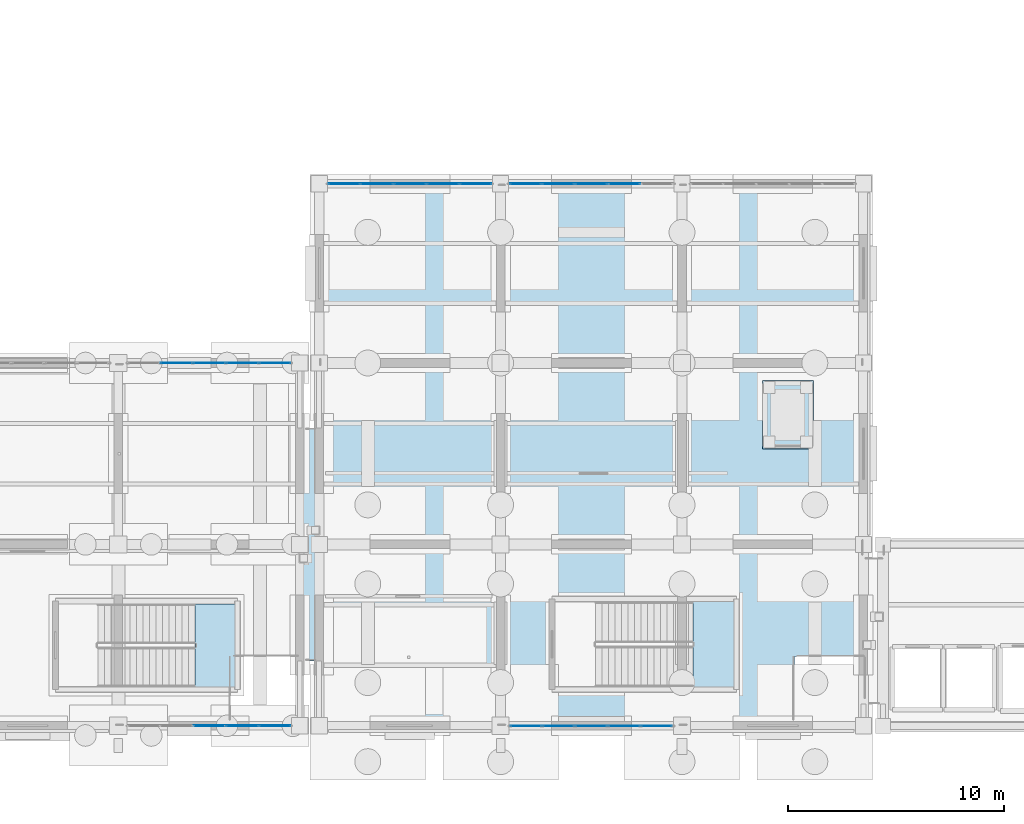
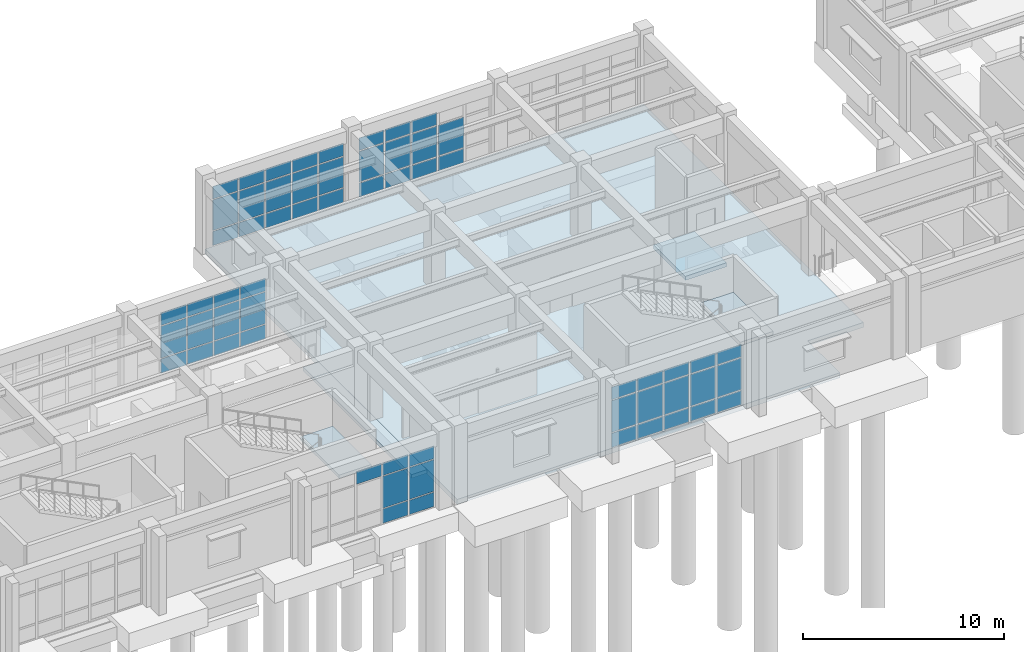
# One storey, part 76 of 111: 60 plates, 5 slabs, 7 elements without a shape of their own.
"""IFC4 building model written with IfcOpenShell, lengths in metres."""

from ifc_helpers import new_model, si_unit, direction, frame, origin, origin_2d, place, context, subcontext, project, spatial, polyline, rectangle, outline, extrude, material, layer, layer_set, type_object, element, aggregate, save


model = new_model("IFC4")

# Units and contexts
model_context = context("Model", 3, precision=1e-05, world=origin(), true_north=direction((0.0, 1.0)))
body_context = subcontext(model_context, "Body", "Model", "MODEL_VIEW")
ifc_project = project(units=[si_unit("LENGTHUNIT", "METRE"), si_unit("AREAUNIT", "SQUARE_METRE"), si_unit("VOLUMEUNIT", "CUBIC_METRE"), si_unit("PLANEANGLEUNIT", "RADIAN"), si_unit("MASSUNIT", "GRAM", prefix="KILO")], contexts=[model_context])

# Site, building, storey
site_placement = place(None, origin())
site = spatial("IfcSite", under=ifc_project, at=site_placement, CompositionType="ELEMENT")
building_placement = place(site_placement, origin())
building = spatial("IfcBuilding", under=site, at=building_placement, Name="Canglan Escarpment Cableway Terminal", CompositionType="ELEMENT")
storey_placement = place(building_placement, frame((0.0, 0.0, 4.800048828125)))
storey = spatial("IfcBuildingStorey", under=building, at=storey_placement, Name="L01", CompositionType="ELEMENT", Elevation=4.800048828125)

# Curtain wall, plates
ifc_material_1 = material(Name="Anodized bronze aluminium and Low-E double glazing", Category="aluminium")
curtain_wall_type_1 = type_object("IfcCurtainWallType", Name="CW-BAY-7650x3725", PredefinedType="NOTDEFINED", material=ifc_material_1)
curtain_wall_1_placement = place(storey_placement, origin())
curtain_wall_1 = element("IfcCurtainWall", 1, at=curtain_wall_1_placement, inside=storey, type_object=curtain_wall_type_1, Name="Classical bay-between-piers glazed curtain wall CW-01", PredefinedType="NOTDEFINED")
ifc_material_2 = material(Name="Double-silver Low-E laminated insulating glass", Category="glass")
ifc_layer_1 = layer(ifc_material_2, 0.02392578125, Name="Double-silver Low-E laminated insulating glass")
ifc_layer_set_1 = layer_set([ifc_layer_1], Name="Double-silver Low-E laminated insulating glass")
plate_type_1 = type_object("IfcPlateType", Name="CWP-01", PredefinedType="CURTAIN_PANEL", material=ifc_layer_set_1)
plate_1_placement = place(storey_placement, frame((118.74365234375, 33.10009765625, 0.06005859375), z_axis=(0.0, 0.0, 1.0), x_axis=(-1.0, 0.0, 0.0)))
plate_1 = element("IfcPlate", 2, at=plate_1_placement, type_object=plate_type_1, Name="CW-01 panel 1.1", PredefinedType="CURTAIN_PANEL", context=body_context, shape_type="SweptSolid", body=[
    extrude(rectangle(XDim=1.4326171875, YDim=0.02392578125, at=origin_2d()), origin(), (0.0, 0.0, 1.0), 0.860107421875),
])
plate_2_placement = place(storey_placement, frame((118.74365234375, 33.10009765625, 0.97998046875), z_axis=(0.0, 0.0, 1.0), x_axis=(-1.0, 0.0, 0.0)))
plate_2 = element("IfcPlate", 3, at=plate_2_placement, type_object=plate_type_1, Name="CW-01 panel 1.2", PredefinedType="CURTAIN_PANEL", context=body_context, shape_type="SweptSolid", body=[
    extrude(rectangle(XDim=1.4326171875, YDim=0.02392578125, at=origin_2d()), origin(), (0.0, 0.0, 1.0), 1.85498046875),
])
plate_3_placement = place(storey_placement, frame((118.74365234375, 33.10009765625, 2.89501953125), z_axis=(0.0, 0.0, 1.0), x_axis=(-1.0, 0.0, 0.0)))
plate_3 = element("IfcPlate", 4, at=plate_3_placement, type_object=plate_type_1, Name="CW-01 panel 1.3", PredefinedType="CURTAIN_PANEL", context=body_context, shape_type="SweptSolid", body=[
    extrude(rectangle(XDim=1.4326171875, YDim=0.02392578125, at=origin_2d()), origin(), (0.0, 0.0, 1.0), 0.760009765625),
])
plate_4_placement = place(storey_placement, frame((117.22998046875, 33.10009765625, 0.06005859375), z_axis=(0.0, 0.0, 1.0), x_axis=(-1.0, 0.0, 0.0)))
plate_4 = element("IfcPlate", 5, at=plate_4_placement, type_object=plate_type_1, Name="CW-01 panel 2.1", PredefinedType="CURTAIN_PANEL", context=body_context, shape_type="SweptSolid", body=[
    extrude(rectangle(XDim=1.465087890625, YDim=0.02392578125, at=origin_2d()), origin(), (0.0, 0.0, 1.0), 0.860107421875),
])
plate_5_placement = place(storey_placement, frame((117.22998046875, 33.10009765625, 0.97998046875), z_axis=(0.0, 0.0, 1.0), x_axis=(-1.0, 0.0, 0.0)))
plate_5 = element("IfcPlate", 6, at=plate_5_placement, type_object=plate_type_1, Name="CW-01 panel 2.2", PredefinedType="CURTAIN_PANEL", context=body_context, shape_type="SweptSolid", body=[
    extrude(rectangle(XDim=1.465087890625, YDim=0.02392578125, at=origin_2d()), origin(), (0.0, 0.0, 1.0), 1.85498046875),
])
plate_6_placement = place(storey_placement, frame((117.22998046875, 33.10009765625, 2.89501953125), z_axis=(0.0, 0.0, 1.0), x_axis=(-1.0, 0.0, 0.0)))
plate_6 = element("IfcPlate", 7, at=plate_6_placement, type_object=plate_type_1, Name="CW-01 panel 2.3", PredefinedType="CURTAIN_PANEL", context=body_context, shape_type="SweptSolid", body=[
    extrude(rectangle(XDim=1.465087890625, YDim=0.02392578125, at=origin_2d()), origin(), (0.0, 0.0, 1.0), 0.760009765625),
])
plate_7_placement = place(storey_placement, frame((115.699951171875, 33.10009765625, 0.06005859375), z_axis=(0.0, 0.0, 1.0), x_axis=(-1.0, 0.0, 0.0)))
plate_7 = element("IfcPlate", 8, at=plate_7_placement, type_object=plate_type_1, Name="CW-01 panel 3.1", PredefinedType="CURTAIN_PANEL", context=body_context, shape_type="SweptSolid", body=[
    extrude(rectangle(XDim=1.465087890625, YDim=0.02392578125, at=origin_2d()), origin(), (0.0, 0.0, 1.0), 0.860107421875),
])
plate_8_placement = place(storey_placement, frame((115.699951171875, 33.10009765625, 0.97998046875), z_axis=(0.0, 0.0, 1.0), x_axis=(-1.0, 0.0, 0.0)))
plate_8 = element("IfcPlate", 9, at=plate_8_placement, type_object=plate_type_1, Name="CW-01 panel 3.2", PredefinedType="CURTAIN_PANEL", context=body_context, shape_type="SweptSolid", body=[
    extrude(rectangle(XDim=1.465087890625, YDim=0.02392578125, at=origin_2d()), origin(), (0.0, 0.0, 1.0), 1.85498046875),
])
plate_9_placement = place(storey_placement, frame((115.699951171875, 33.10009765625, 2.89501953125), z_axis=(0.0, 0.0, 1.0), x_axis=(-1.0, 0.0, 0.0)))
plate_9 = element("IfcPlate", 10, at=plate_9_placement, type_object=plate_type_1, Name="CW-01 panel 3.3", PredefinedType="CURTAIN_PANEL", context=body_context, shape_type="SweptSolid", body=[
    extrude(rectangle(XDim=1.465087890625, YDim=0.02392578125, at=origin_2d()), origin(), (0.0, 0.0, 1.0), 0.760009765625),
])
plate_10_placement = place(storey_placement, frame((114.169921875, 33.10009765625, 0.06005859375), z_axis=(0.0, 0.0, 1.0), x_axis=(-1.0, 0.0, 0.0)))
plate_10 = element("IfcPlate", 11, at=plate_10_placement, type_object=plate_type_1, Name="CW-01 panel 4.1", PredefinedType="CURTAIN_PANEL", context=body_context, shape_type="SweptSolid", body=[
    extrude(rectangle(XDim=1.465087890625, YDim=0.02392578125, at=origin_2d()), origin(), (0.0, 0.0, 1.0), 0.860107421875),
])
plate_11_placement = place(storey_placement, frame((114.169921875, 33.10009765625, 0.97998046875), z_axis=(0.0, 0.0, 1.0), x_axis=(-1.0, 0.0, 0.0)))
plate_11 = element("IfcPlate", 12, at=plate_11_placement, type_object=plate_type_1, Name="CW-01 panel 4.2", PredefinedType="CURTAIN_PANEL", context=body_context, shape_type="SweptSolid", body=[
    extrude(rectangle(XDim=1.465087890625, YDim=0.02392578125, at=origin_2d()), origin(), (0.0, 0.0, 1.0), 1.85498046875),
])
plate_12_placement = place(storey_placement, frame((114.169921875, 33.10009765625, 2.89501953125), z_axis=(0.0, 0.0, 1.0), x_axis=(-1.0, 0.0, 0.0)))
plate_12 = element("IfcPlate", 13, at=plate_12_placement, type_object=plate_type_1, Name="CW-01 panel 4.3", PredefinedType="CURTAIN_PANEL", context=body_context, shape_type="SweptSolid", body=[
    extrude(rectangle(XDim=1.465087890625, YDim=0.02392578125, at=origin_2d()), origin(), (0.0, 0.0, 1.0), 0.760009765625),
])
plate_13_placement = place(storey_placement, frame((112.65625, 33.10009765625, 0.06005859375), z_axis=(0.0, 0.0, 1.0), x_axis=(-1.0, 0.0, 0.0)))
plate_13 = element("IfcPlate", 14, at=plate_13_placement, type_object=plate_type_1, Name="CW-01 panel 5.1", PredefinedType="CURTAIN_PANEL", context=body_context, shape_type="SweptSolid", body=[
    extrude(rectangle(XDim=1.4326171875, YDim=0.02392578125, at=origin_2d()), origin(), (0.0, 0.0, 1.0), 0.860107421875),
])
plate_14_placement = place(storey_placement, frame((112.65625, 33.10009765625, 0.97998046875), z_axis=(0.0, 0.0, 1.0), x_axis=(-1.0, 0.0, 0.0)))
plate_14 = element("IfcPlate", 15, at=plate_14_placement, type_object=plate_type_1, Name="CW-01 panel 5.2", PredefinedType="CURTAIN_PANEL", context=body_context, shape_type="SweptSolid", body=[
    extrude(rectangle(XDim=1.4326171875, YDim=0.02392578125, at=origin_2d()), origin(), (0.0, 0.0, 1.0), 1.85498046875),
])
plate_15_placement = place(storey_placement, frame((112.65625, 33.10009765625, 2.89501953125), z_axis=(0.0, 0.0, 1.0), x_axis=(-1.0, 0.0, 0.0)))
plate_15 = element("IfcPlate", 16, at=plate_15_placement, type_object=plate_type_1, Name="CW-01 panel 5.3", PredefinedType="CURTAIN_PANEL", context=body_context, shape_type="SweptSolid", body=[
    extrude(rectangle(XDim=1.4326171875, YDim=0.02392578125, at=origin_2d()), origin(), (0.0, 0.0, 1.0), 0.760009765625),
])
aggregate(curtain_wall_1, [plate_1, plate_2, plate_3, plate_4, plate_5, plate_6, plate_7, plate_8, plate_9, plate_10, plate_11, plate_12, plate_13, plate_14, plate_15])

curtain_wall_type_2 = type_object("IfcCurtainWallType", Name="CW-BAY-7600x3775", PredefinedType="NOTDEFINED", material=ifc_material_1)
curtain_wall_2_placement = place(storey_placement, origin())
curtain_wall_2 = element("IfcCurtainWall", 17, at=curtain_wall_2_placement, inside=storey, type_object=curtain_wall_type_2, Name="Classical bay-between-piers glazed curtain wall CW-09", PredefinedType="NOTDEFINED")
ifc_layer_2 = layer(ifc_material_2, 0.028076171875, Name="Double-silver Low-E laminated insulating glass")
ifc_layer_set_2 = layer_set([ifc_layer_2], Name="Double-silver Low-E laminated insulating glass")
plate_type_2 = type_object("IfcPlateType", Name="CWP-02", PredefinedType="CURTAIN_PANEL", material=ifc_layer_set_2)
plate_16_placement = place(storey_placement, frame((121.076171875, 8.0, 0.06494140625), z_axis=(0.0, 0.0, 1.0), x_axis=(1.0, 0.0, 0.0)))
plate_16 = element("IfcPlate", 18, at=plate_16_placement, type_object=plate_type_2, Name="CW-09 panel 1.1", PredefinedType="CURTAIN_PANEL", context=body_context, shape_type="SweptSolid", body=[
    extrude(rectangle(XDim=1.422607421875, YDim=0.028076171875, at=origin_2d()), origin(), (0.0, 0.0, 1.0), 0.8525390625),
])
plate_17_placement = place(storey_placement, frame((121.076171875, 8.0, 0.982421875), z_axis=(0.0, 0.0, 1.0), x_axis=(1.0, 0.0, 0.0)))
plate_17 = element("IfcPlate", 19, at=plate_17_placement, type_object=plate_type_2, Name="CW-09 panel 1.2", PredefinedType="CURTAIN_PANEL", context=body_context, shape_type="SweptSolid", body=[
    extrude(rectangle(XDim=1.422607421875, YDim=0.028076171875, at=origin_2d()), origin(), (0.0, 0.0, 1.0), 1.919921875),
])
plate_18_placement = place(storey_placement, frame((121.076171875, 8.0, 2.967529296875), z_axis=(0.0, 0.0, 1.0), x_axis=(1.0, 0.0, 0.0)))
plate_18 = element("IfcPlate", 20, at=plate_18_placement, type_object=plate_type_2, Name="CW-09 panel 1.3", PredefinedType="CURTAIN_PANEL", context=body_context, shape_type="SweptSolid", body=[
    extrude(rectangle(XDim=1.422607421875, YDim=0.028076171875, at=origin_2d()), origin(), (0.0, 0.0, 1.0), 0.75244140625),
])
plate_19_placement = place(storey_placement, frame((122.580078125, 8.0, 0.06494140625), z_axis=(0.0, 0.0, 1.0), x_axis=(1.0, 0.0, 0.0)))
plate_19 = element("IfcPlate", 21, at=plate_19_placement, type_object=plate_type_2, Name="CW-09 panel 2.1", PredefinedType="CURTAIN_PANEL", context=body_context, shape_type="SweptSolid", body=[
    extrude(rectangle(XDim=1.455078125, YDim=0.028076171875, at=origin_2d()), origin(), (0.0, 0.0, 1.0), 0.8525390625),
])
plate_20_placement = place(storey_placement, frame((122.580078125, 8.0, 0.982421875), z_axis=(0.0, 0.0, 1.0), x_axis=(1.0, 0.0, 0.0)))
plate_20 = element("IfcPlate", 22, at=plate_20_placement, type_object=plate_type_2, Name="CW-09 panel 2.2", PredefinedType="CURTAIN_PANEL", context=body_context, shape_type="SweptSolid", body=[
    extrude(rectangle(XDim=1.455078125, YDim=0.028076171875, at=origin_2d()), origin(), (0.0, 0.0, 1.0), 1.919921875),
])
plate_21_placement = place(storey_placement, frame((122.580078125, 8.0, 2.967529296875), z_axis=(0.0, 0.0, 1.0), x_axis=(1.0, 0.0, 0.0)))
plate_21 = element("IfcPlate", 23, at=plate_21_placement, type_object=plate_type_2, Name="CW-09 panel 2.3", PredefinedType="CURTAIN_PANEL", context=body_context, shape_type="SweptSolid", body=[
    extrude(rectangle(XDim=1.455078125, YDim=0.028076171875, at=origin_2d()), origin(), (0.0, 0.0, 1.0), 0.75244140625),
])
plate_22_placement = place(storey_placement, frame((124.10009765625, 8.0, 0.06494140625), z_axis=(0.0, 0.0, 1.0), x_axis=(1.0, 0.0, 0.0)))
plate_22 = element("IfcPlate", 24, at=plate_22_placement, type_object=plate_type_2, Name="CW-09 panel 3.1", PredefinedType="CURTAIN_PANEL", context=body_context, shape_type="SweptSolid", body=[
    extrude(rectangle(XDim=1.455078125, YDim=0.028076171875, at=origin_2d()), origin(), (0.0, 0.0, 1.0), 0.8525390625),
])
plate_23_placement = place(storey_placement, frame((124.10009765625, 8.0, 0.982421875), z_axis=(0.0, 0.0, 1.0), x_axis=(1.0, 0.0, 0.0)))
plate_23 = element("IfcPlate", 25, at=plate_23_placement, type_object=plate_type_2, Name="CW-09 panel 3.2", PredefinedType="CURTAIN_PANEL", context=body_context, shape_type="SweptSolid", body=[
    extrude(rectangle(XDim=1.455078125, YDim=0.028076171875, at=origin_2d()), origin(), (0.0, 0.0, 1.0), 1.919921875),
])
plate_24_placement = place(storey_placement, frame((124.10009765625, 8.0, 2.967529296875), z_axis=(0.0, 0.0, 1.0), x_axis=(1.0, 0.0, 0.0)))
plate_24 = element("IfcPlate", 26, at=plate_24_placement, type_object=plate_type_2, Name="CW-09 panel 3.3", PredefinedType="CURTAIN_PANEL", context=body_context, shape_type="SweptSolid", body=[
    extrude(rectangle(XDim=1.455078125, YDim=0.028076171875, at=origin_2d()), origin(), (0.0, 0.0, 1.0), 0.75244140625),
])
plate_25_placement = place(storey_placement, frame((125.6201171875, 8.0, 0.06494140625), z_axis=(0.0, 0.0, 1.0), x_axis=(1.0, 0.0, 0.0)))
plate_25 = element("IfcPlate", 27, at=plate_25_placement, type_object=plate_type_2, Name="CW-09 panel 4.1", PredefinedType="CURTAIN_PANEL", context=body_context, shape_type="SweptSolid", body=[
    extrude(rectangle(XDim=1.455078125, YDim=0.028076171875, at=origin_2d()), origin(), (0.0, 0.0, 1.0), 0.8525390625),
])
plate_26_placement = place(storey_placement, frame((125.6201171875, 8.0, 0.982421875), z_axis=(0.0, 0.0, 1.0), x_axis=(1.0, 0.0, 0.0)))
plate_26 = element("IfcPlate", 28, at=plate_26_placement, type_object=plate_type_2, Name="CW-09 panel 4.2", PredefinedType="CURTAIN_PANEL", context=body_context, shape_type="SweptSolid", body=[
    extrude(rectangle(XDim=1.455078125, YDim=0.028076171875, at=origin_2d()), origin(), (0.0, 0.0, 1.0), 1.919921875),
])
plate_27_placement = place(storey_placement, frame((125.6201171875, 8.0, 2.967529296875), z_axis=(0.0, 0.0, 1.0), x_axis=(1.0, 0.0, 0.0)))
plate_27 = element("IfcPlate", 29, at=plate_27_placement, type_object=plate_type_2, Name="CW-09 panel 4.3", PredefinedType="CURTAIN_PANEL", context=body_context, shape_type="SweptSolid", body=[
    extrude(rectangle(XDim=1.455078125, YDim=0.028076171875, at=origin_2d()), origin(), (0.0, 0.0, 1.0), 0.75244140625),
])
plate_28_placement = place(storey_placement, frame((127.123779296875, 8.0, 0.06494140625), z_axis=(0.0, 0.0, 1.0), x_axis=(1.0, 0.0, 0.0)))
plate_28 = element("IfcPlate", 30, at=plate_28_placement, type_object=plate_type_2, Name="CW-09 panel 5.1", PredefinedType="CURTAIN_PANEL", context=body_context, shape_type="SweptSolid", body=[
    extrude(rectangle(XDim=1.422607421875, YDim=0.028076171875, at=origin_2d()), origin(), (0.0, 0.0, 1.0), 0.8525390625),
])
plate_29_placement = place(storey_placement, frame((127.123779296875, 8.0, 0.982421875), z_axis=(0.0, 0.0, 1.0), x_axis=(1.0, 0.0, 0.0)))
plate_29 = element("IfcPlate", 31, at=plate_29_placement, type_object=plate_type_2, Name="CW-09 panel 5.2", PredefinedType="CURTAIN_PANEL", context=body_context, shape_type="SweptSolid", body=[
    extrude(rectangle(XDim=1.422607421875, YDim=0.028076171875, at=origin_2d()), origin(), (0.0, 0.0, 1.0), 1.919921875),
])
plate_30_placement = place(storey_placement, frame((127.123779296875, 8.0, 2.967529296875), z_axis=(0.0, 0.0, 1.0), x_axis=(1.0, 0.0, 0.0)))
plate_30 = element("IfcPlate", 32, at=plate_30_placement, type_object=plate_type_2, Name="CW-09 panel 5.3", PredefinedType="CURTAIN_PANEL", context=body_context, shape_type="SweptSolid", body=[
    extrude(rectangle(XDim=1.422607421875, YDim=0.028076171875, at=origin_2d()), origin(), (0.0, 0.0, 1.0), 0.75244140625),
])
aggregate(curtain_wall_2, [plate_16, plate_17, plate_18, plate_19, plate_20, plate_21, plate_22, plate_23, plate_24, plate_25, plate_26, plate_27, plate_28, plate_29, plate_30])

curtain_wall_3_placement = place(storey_placement, origin())
curtain_wall_3 = element("IfcCurtainWall", 33, at=curtain_wall_3_placement, inside=storey, type_object=curtain_wall_type_1, Name="Classical bay-between-piers glazed curtain wall CW-01", PredefinedType="NOTDEFINED")
plate_31_placement = place(storey_placement, frame((125.6298828125, 33.10009765625, 0.06494140625), z_axis=(0.0, 0.0, 1.0), x_axis=(-1.0, 0.0, 0.0)))
plate_31 = element("IfcPlate", 34, at=plate_31_placement, type_object=plate_type_2, Name="CW-01 panel 2.1", PredefinedType="CURTAIN_PANEL", context=body_context, shape_type="SweptSolid", body=[
    extrude(rectangle(XDim=1.465087890625, YDim=0.028076171875, at=origin_2d()), origin(), (0.0, 0.0, 1.0), 0.8525390625),
])
plate_32_placement = place(storey_placement, frame((125.6298828125, 33.10009765625, 0.982421875), z_axis=(0.0, 0.0, 1.0), x_axis=(-1.0, 0.0, 0.0)))
plate_32 = element("IfcPlate", 35, at=plate_32_placement, type_object=plate_type_2, Name="CW-01 panel 2.2", PredefinedType="CURTAIN_PANEL", context=body_context, shape_type="SweptSolid", body=[
    extrude(rectangle(XDim=1.465087890625, YDim=0.028076171875, at=origin_2d()), origin(), (0.0, 0.0, 1.0), 1.85009765625),
])
plate_33_placement = place(storey_placement, frame((124.10009765625, 33.10009765625, 0.06494140625), z_axis=(0.0, 0.0, 1.0), x_axis=(-1.0, 0.0, 0.0)))
plate_33 = element("IfcPlate", 36, at=plate_33_placement, type_object=plate_type_2, Name="CW-01 panel 3.1", PredefinedType="CURTAIN_PANEL", context=body_context, shape_type="SweptSolid", body=[
    extrude(rectangle(XDim=1.465087890625, YDim=0.028076171875, at=origin_2d()), origin(), (0.0, 0.0, 1.0), 0.8525390625),
])
plate_34_placement = place(storey_placement, frame((124.10009765625, 33.10009765625, 0.982421875), z_axis=(0.0, 0.0, 1.0), x_axis=(-1.0, 0.0, 0.0)))
plate_34 = element("IfcPlate", 37, at=plate_34_placement, type_object=plate_type_2, Name="CW-01 panel 3.2", PredefinedType="CURTAIN_PANEL", context=body_context, shape_type="SweptSolid", body=[
    extrude(rectangle(XDim=1.465087890625, YDim=0.028076171875, at=origin_2d()), origin(), (0.0, 0.0, 1.0), 1.85009765625),
])
plate_35_placement = place(storey_placement, frame((124.10009765625, 33.10009765625, 2.8974609375), z_axis=(0.0, 0.0, 1.0), x_axis=(-1.0, 0.0, 0.0)))
plate_35 = element("IfcPlate", 38, at=plate_35_placement, type_object=plate_type_2, Name="CW-01 panel 3.3", PredefinedType="CURTAIN_PANEL", context=body_context, shape_type="SweptSolid", body=[
    extrude(rectangle(XDim=1.465087890625, YDim=0.028076171875, at=origin_2d()), origin(), (0.0, 0.0, 1.0), 0.75244140625),
])
plate_36_placement = place(storey_placement, frame((122.570068359375, 33.10009765625, 0.06494140625), z_axis=(0.0, 0.0, 1.0), x_axis=(-1.0, 0.0, 0.0)))
plate_36 = element("IfcPlate", 39, at=plate_36_placement, type_object=plate_type_2, Name="CW-01 panel 4.1", PredefinedType="CURTAIN_PANEL", context=body_context, shape_type="SweptSolid", body=[
    extrude(rectangle(XDim=1.465087890625, YDim=0.028076171875, at=origin_2d()), origin(), (0.0, 0.0, 1.0), 0.8525390625),
])
plate_37_placement = place(storey_placement, frame((122.570068359375, 33.10009765625, 0.982421875), z_axis=(0.0, 0.0, 1.0), x_axis=(-1.0, 0.0, 0.0)))
plate_37 = element("IfcPlate", 40, at=plate_37_placement, type_object=plate_type_2, Name="CW-01 panel 4.2", PredefinedType="CURTAIN_PANEL", context=body_context, shape_type="SweptSolid", body=[
    extrude(rectangle(XDim=1.465087890625, YDim=0.028076171875, at=origin_2d()), origin(), (0.0, 0.0, 1.0), 1.85009765625),
])
plate_38_placement = place(storey_placement, frame((122.570068359375, 33.10009765625, 2.8974609375), z_axis=(0.0, 0.0, 1.0), x_axis=(-1.0, 0.0, 0.0)))
plate_38 = element("IfcPlate", 41, at=plate_38_placement, type_object=plate_type_2, Name="CW-01 panel 4.3", PredefinedType="CURTAIN_PANEL", context=body_context, shape_type="SweptSolid", body=[
    extrude(rectangle(XDim=1.465087890625, YDim=0.028076171875, at=origin_2d()), origin(), (0.0, 0.0, 1.0), 0.75244140625),
])
plate_39_placement = place(storey_placement, frame((121.05615234375, 33.10009765625, 0.06494140625), z_axis=(0.0, 0.0, 1.0), x_axis=(-1.0, 0.0, 0.0)))
plate_39 = element("IfcPlate", 42, at=plate_39_placement, type_object=plate_type_2, Name="CW-01 panel 5.1", PredefinedType="CURTAIN_PANEL", context=body_context, shape_type="SweptSolid", body=[
    extrude(rectangle(XDim=1.4326171875, YDim=0.028076171875, at=origin_2d()), origin(), (0.0, 0.0, 1.0), 0.8525390625),
])
plate_40_placement = place(storey_placement, frame((121.05615234375, 33.10009765625, 0.982421875), z_axis=(0.0, 0.0, 1.0), x_axis=(-1.0, 0.0, 0.0)))
plate_40 = element("IfcPlate", 43, at=plate_40_placement, type_object=plate_type_2, Name="CW-01 panel 5.2", PredefinedType="CURTAIN_PANEL", context=body_context, shape_type="SweptSolid", body=[
    extrude(rectangle(XDim=1.4326171875, YDim=0.028076171875, at=origin_2d()), origin(), (0.0, 0.0, 1.0), 1.85009765625),
])
plate_41_placement = place(storey_placement, frame((121.05615234375, 33.10009765625, 2.8974609375), z_axis=(0.0, 0.0, 1.0), x_axis=(-1.0, 0.0, 0.0)))
plate_41 = element("IfcPlate", 44, at=plate_41_placement, type_object=plate_type_2, Name="CW-01 panel 5.3", PredefinedType="CURTAIN_PANEL", context=body_context, shape_type="SweptSolid", body=[
    extrude(rectangle(XDim=1.4326171875, YDim=0.028076171875, at=origin_2d()), origin(), (0.0, 0.0, 1.0), 0.75244140625),
])
aggregate(curtain_wall_3, [plate_31, plate_32, plate_33, plate_34, plate_35, plate_36, plate_37, plate_38, plate_39, plate_40, plate_41])

curtain_wall_type_3 = type_object("IfcCurtainWallType", Name="CW-BAY-7625x3775", PredefinedType="NOTDEFINED", material=ifc_material_1)
curtain_wall_4_placement = place(storey_placement, origin())
curtain_wall_4 = element("IfcCurtainWall", 45, at=curtain_wall_4_placement, inside=storey, type_object=curtain_wall_type_3, Name="Classical bay-between-piers glazed curtain wall CW-10", PredefinedType="NOTDEFINED")
ifc_layer_3 = layer(ifc_material_2, 0.031982421875, Name="Double-silver Low-E laminated insulating glass")
ifc_layer_set_3 = layer_set([ifc_layer_3], Name="Double-silver Low-E laminated insulating glass")
plate_type_3 = type_object("IfcPlateType", Name="CWP-03", PredefinedType="CURTAIN_PANEL", material=ifc_layer_set_3)
plate_42_placement = place(storey_placement, frame((106.41259765625, 8.0, 2.96240234375), z_axis=(0.0, 0.0, 1.0), x_axis=(1.0, 0.0, 0.0)))
plate_42 = element("IfcPlate", 46, at=plate_42_placement, type_object=plate_type_3, Name="CW-10 panel 3.3", PredefinedType="CURTAIN_PANEL", context=body_context, shape_type="SweptSolid", body=[
    extrude(rectangle(XDim=1.465087890625, YDim=0.031982421875, at=origin_2d()), origin(), (0.0, 0.0, 1.0), 0.767578125),
])
plate_43_placement = place(storey_placement, frame((107.9375, 8.0, 0.05517578125), z_axis=(0.0, 0.0, 1.0), x_axis=(1.0, 0.0, 0.0)))
plate_43 = element("IfcPlate", 47, at=plate_43_placement, type_object=plate_type_3, Name="CW-10 panel 4.1", PredefinedType="CURTAIN_PANEL", context=body_context, shape_type="SweptSolid", body=[
    extrude(rectangle(XDim=1.465087890625, YDim=0.031982421875, at=origin_2d()), origin(), (0.0, 0.0, 1.0), 0.867431640625),
])
plate_44_placement = place(storey_placement, frame((107.9375, 8.0, 0.9775390625), z_axis=(0.0, 0.0, 1.0), x_axis=(1.0, 0.0, 0.0)))
plate_44 = element("IfcPlate", 48, at=plate_44_placement, type_object=plate_type_3, Name="CW-10 panel 4.2", PredefinedType="CURTAIN_PANEL", context=body_context, shape_type="SweptSolid", body=[
    extrude(rectangle(XDim=1.465087890625, YDim=0.031982421875, at=origin_2d()), origin(), (0.0, 0.0, 1.0), 1.929931640625),
])
plate_45_placement = place(storey_placement, frame((107.9375, 8.0, 2.96240234375), z_axis=(0.0, 0.0, 1.0), x_axis=(1.0, 0.0, 0.0)))
plate_45 = element("IfcPlate", 49, at=plate_45_placement, type_object=plate_type_3, Name="CW-10 panel 4.3", PredefinedType="CURTAIN_PANEL", context=body_context, shape_type="SweptSolid", body=[
    extrude(rectangle(XDim=1.465087890625, YDim=0.031982421875, at=origin_2d()), origin(), (0.0, 0.0, 1.0), 0.767578125),
])
plate_46_placement = place(storey_placement, frame((109.447509765625, 8.0, 0.05517578125), z_axis=(0.0, 0.0, 1.0), x_axis=(1.0, 0.0, 0.0)))
plate_46 = element("IfcPlate", 50, at=plate_46_placement, type_object=plate_type_3, Name="CW-10 panel 5.1", PredefinedType="CURTAIN_PANEL", context=body_context, shape_type="SweptSolid", body=[
    extrude(rectangle(XDim=1.43505859375, YDim=0.031982421875, at=origin_2d()), origin(), (0.0, 0.0, 1.0), 0.867431640625),
])
plate_47_placement = place(storey_placement, frame((109.447509765625, 8.0, 0.9775390625), z_axis=(0.0, 0.0, 1.0), x_axis=(1.0, 0.0, 0.0)))
plate_47 = element("IfcPlate", 51, at=plate_47_placement, type_object=plate_type_3, Name="CW-10 panel 5.2", PredefinedType="CURTAIN_PANEL", context=body_context, shape_type="SweptSolid", body=[
    extrude(rectangle(XDim=1.43505859375, YDim=0.031982421875, at=origin_2d()), origin(), (0.0, 0.0, 1.0), 1.929931640625),
])
plate_48_placement = place(storey_placement, frame((109.447509765625, 8.0, 2.96240234375), z_axis=(0.0, 0.0, 1.0), x_axis=(1.0, 0.0, 0.0)))
plate_48 = element("IfcPlate", 52, at=plate_48_placement, type_object=plate_type_3, Name="CW-10 panel 5.3", PredefinedType="CURTAIN_PANEL", context=body_context, shape_type="SweptSolid", body=[
    extrude(rectangle(XDim=1.43505859375, YDim=0.031982421875, at=origin_2d()), origin(), (0.0, 0.0, 1.0), 0.767578125),
])
aggregate(curtain_wall_4, [plate_42, plate_43, plate_44, plate_45, plate_46, plate_47, plate_48])

curtain_wall_5_placement = place(storey_placement, origin())
curtain_wall_5 = element("IfcCurtainWall", 53, at=curtain_wall_5_placement, inside=storey, type_object=curtain_wall_type_3, Name="Classical bay-between-piers glazed curtain wall CW-10", PredefinedType="NOTDEFINED")
plate_49_placement = place(storey_placement, frame((109.447509765625, 24.800048828125, 0.05517578125), z_axis=(0.0, 0.0, 1.0), x_axis=(-1.0, 0.0, 0.0)))
plate_49 = element("IfcPlate", 54, at=plate_49_placement, type_object=plate_type_3, Name="CW-10 panel 1.1", PredefinedType="CURTAIN_PANEL", context=body_context, shape_type="SweptSolid", body=[
    extrude(rectangle(XDim=1.43505859375, YDim=0.031982421875, at=origin_2d()), origin(), (0.0, 0.0, 1.0), 0.867431640625),
])
plate_50_placement = place(storey_placement, frame((109.447509765625, 24.800048828125, 0.9775390625), z_axis=(0.0, 0.0, 1.0), x_axis=(-1.0, 0.0, 0.0)))
plate_50 = element("IfcPlate", 55, at=plate_50_placement, type_object=plate_type_3, Name="CW-10 panel 1.2", PredefinedType="CURTAIN_PANEL", context=body_context, shape_type="SweptSolid", body=[
    extrude(rectangle(XDim=1.43505859375, YDim=0.031982421875, at=origin_2d()), origin(), (0.0, 0.0, 1.0), 1.929931640625),
])
plate_51_placement = place(storey_placement, frame((109.447509765625, 24.800048828125, 2.96240234375), z_axis=(0.0, 0.0, 1.0), x_axis=(-1.0, 0.0, 0.0)))
plate_51 = element("IfcPlate", 56, at=plate_51_placement, type_object=plate_type_3, Name="CW-10 panel 1.3", PredefinedType="CURTAIN_PANEL", context=body_context, shape_type="SweptSolid", body=[
    extrude(rectangle(XDim=1.43505859375, YDim=0.031982421875, at=origin_2d()), origin(), (0.0, 0.0, 1.0), 0.767578125),
])
plate_52_placement = place(storey_placement, frame((107.9375, 24.800048828125, 0.05517578125), z_axis=(0.0, 0.0, 1.0), x_axis=(-1.0, 0.0, 0.0)))
plate_52 = element("IfcPlate", 57, at=plate_52_placement, type_object=plate_type_3, Name="CW-10 panel 2.1", PredefinedType="CURTAIN_PANEL", context=body_context, shape_type="SweptSolid", body=[
    extrude(rectangle(XDim=1.465087890625, YDim=0.031982421875, at=origin_2d()), origin(), (0.0, 0.0, 1.0), 0.867431640625),
])
plate_53_placement = place(storey_placement, frame((107.9375, 24.800048828125, 0.9775390625), z_axis=(0.0, 0.0, 1.0), x_axis=(-1.0, 0.0, 0.0)))
plate_53 = element("IfcPlate", 58, at=plate_53_placement, type_object=plate_type_3, Name="CW-10 panel 2.2", PredefinedType="CURTAIN_PANEL", context=body_context, shape_type="SweptSolid", body=[
    extrude(rectangle(XDim=1.465087890625, YDim=0.031982421875, at=origin_2d()), origin(), (0.0, 0.0, 1.0), 1.929931640625),
])
plate_54_placement = place(storey_placement, frame((107.9375, 24.800048828125, 2.96240234375), z_axis=(0.0, 0.0, 1.0), x_axis=(-1.0, 0.0, 0.0)))
plate_54 = element("IfcPlate", 59, at=plate_54_placement, type_object=plate_type_3, Name="CW-10 panel 2.3", PredefinedType="CURTAIN_PANEL", context=body_context, shape_type="SweptSolid", body=[
    extrude(rectangle(XDim=1.465087890625, YDim=0.031982421875, at=origin_2d()), origin(), (0.0, 0.0, 1.0), 0.767578125),
])
plate_55_placement = place(storey_placement, frame((106.41259765625, 24.800048828125, 0.05517578125), z_axis=(0.0, 0.0, 1.0), x_axis=(-1.0, 0.0, 0.0)))
plate_55 = element("IfcPlate", 60, at=plate_55_placement, type_object=plate_type_3, Name="CW-10 panel 3.1", PredefinedType="CURTAIN_PANEL", context=body_context, shape_type="SweptSolid", body=[
    extrude(rectangle(XDim=1.465087890625, YDim=0.031982421875, at=origin_2d()), origin(), (0.0, 0.0, 1.0), 0.867431640625),
])
plate_56_placement = place(storey_placement, frame((106.41259765625, 24.800048828125, 0.9775390625), z_axis=(0.0, 0.0, 1.0), x_axis=(-1.0, 0.0, 0.0)))
plate_56 = element("IfcPlate", 61, at=plate_56_placement, type_object=plate_type_3, Name="CW-10 panel 3.2", PredefinedType="CURTAIN_PANEL", context=body_context, shape_type="SweptSolid", body=[
    extrude(rectangle(XDim=1.465087890625, YDim=0.031982421875, at=origin_2d()), origin(), (0.0, 0.0, 1.0), 1.929931640625),
])
plate_57_placement = place(storey_placement, frame((106.41259765625, 24.800048828125, 2.96240234375), z_axis=(0.0, 0.0, 1.0), x_axis=(-1.0, 0.0, 0.0)))
plate_57 = element("IfcPlate", 62, at=plate_57_placement, type_object=plate_type_3, Name="CW-10 panel 3.3", PredefinedType="CURTAIN_PANEL", context=body_context, shape_type="SweptSolid", body=[
    extrude(rectangle(XDim=1.465087890625, YDim=0.031982421875, at=origin_2d()), origin(), (0.0, 0.0, 1.0), 0.767578125),
])
plate_58_placement = place(storey_placement, frame((104.887451171875, 24.800048828125, 0.05517578125), z_axis=(0.0, 0.0, 1.0), x_axis=(-1.0, 0.0, 0.0)))
plate_58 = element("IfcPlate", 63, at=plate_58_placement, type_object=plate_type_3, Name="CW-10 panel 4.1", PredefinedType="CURTAIN_PANEL", context=body_context, shape_type="SweptSolid", body=[
    extrude(rectangle(XDim=1.465087890625, YDim=0.031982421875, at=origin_2d()), origin(), (0.0, 0.0, 1.0), 0.867431640625),
])
plate_59_placement = place(storey_placement, frame((104.887451171875, 24.800048828125, 0.9775390625), z_axis=(0.0, 0.0, 1.0), x_axis=(-1.0, 0.0, 0.0)))
plate_59 = element("IfcPlate", 64, at=plate_59_placement, type_object=plate_type_3, Name="CW-10 panel 4.2", PredefinedType="CURTAIN_PANEL", context=body_context, shape_type="SweptSolid", body=[
    extrude(rectangle(XDim=1.465087890625, YDim=0.031982421875, at=origin_2d()), origin(), (0.0, 0.0, 1.0), 1.929931640625),
])
plate_60_placement = place(storey_placement, frame((104.887451171875, 24.800048828125, 2.96240234375), z_axis=(0.0, 0.0, 1.0), x_axis=(-1.0, 0.0, 0.0)))
plate_60 = element("IfcPlate", 65, at=plate_60_placement, type_object=plate_type_3, Name="CW-10 panel 4.3", PredefinedType="CURTAIN_PANEL", context=body_context, shape_type="SweptSolid", body=[
    extrude(rectangle(XDim=1.465087890625, YDim=0.031982421875, at=origin_2d()), origin(), (0.0, 0.0, 1.0), 0.767578125),
])
aggregate(curtain_wall_5, [plate_49, plate_50, plate_51, plate_52, plate_53, plate_54, plate_55, plate_56, plate_57, plate_58, plate_59, plate_60])

# Slabs
ifc_material_3 = material(Name="Concrete C40", Category="concrete")
ifc_layer_4 = layer(ifc_material_3, 0.300048828125, Name="Concrete C40")
ifc_layer_set_4 = layer_set([ifc_layer_4], Name="Concrete C40")
slab_type_1 = type_object("IfcSlabType", Name="SLB-BASE-300", PredefinedType="BASESLAB", material=ifc_layer_set_4)
slab_1_placement = place(storey_placement, frame((0.0, 0.0, -0.300048828125)))
element("IfcSlab", 66, at=slab_1_placement, inside=storey, type_object=slab_type_1, Name="Reinforced concrete base slab SB-01", PredefinedType="BASESLAB", context=body_context, shape_type="SweptSolid", body=[
    extrude(outline(polyline([(111.5, 8.0), (133.5, 8.0), (133.5, 11.199951171875), (136.699951171875, 11.199951171875), (136.699951171875, 33.10009765625), (111.5, 33.10009765625), (111.5, 8.0)])), origin(), (0.0, 0.0, 1.0), 0.300048828125),
])
ifc_layer_5 = layer(ifc_material_3, 0.219970703125, Name="Concrete C40")
ifc_layer_set_5 = layer_set([ifc_layer_5], Name="Concrete C40")
slab_type_2 = type_object("IfcSlabType", Name="SLB-LINK-220", PredefinedType="FLOOR", material=ifc_layer_set_5)
slab_2_placement = place(storey_placement, frame((0.0, 0.0, -0.219970703125)))
element("IfcSlab", 67, at=slab_2_placement, inside=storey, type_object=slab_type_2, Name="Movement-joint concourse link slab MJ-S1", PredefinedType="FLOOR", context=body_context, shape_type="SweptSolid", body=[
    extrude(outline(polyline([(111.4951171875, 21.800048828125), (111.4951171875, 11.0), (110.60498046875, 11.0), (110.60498046875, 21.800048828125), (111.4951171875, 21.800048828125)])), origin(), (0.0, 0.0, 1.0), 0.219970703125),
])
ifc_layer_6 = layer(ifc_material_3, 0.239990234375, Name="Concrete C40")
ifc_layer_set_6 = layer_set([ifc_layer_6], Name="Concrete C40")
slab_type_3 = type_object("IfcSlabType", Name="SLB-PIT-240", PredefinedType="BASESLAB", material=ifc_layer_set_6)
slab_3_placement = place(storey_placement, frame((0.0, 0.0, -1.64013671875)))
element("IfcSlab", 68, at=slab_3_placement, inside=storey, type_object=slab_type_3, Name="Elevator shaft pit base slab LF-06", PredefinedType="BASESLAB", context=body_context, shape_type="SweptSolid", body=[
    extrude(outline(polyline([(132.02001953125, 20.820068359375), (134.3798828125, 20.820068359375), (134.3798828125, 23.97998046875), (132.02001953125, 23.97998046875), (132.02001953125, 20.820068359375)])), origin(), (0.0, 0.0, 1.0), 0.239990234375),
])

# Stair, slab
stair_type_1 = type_object("IfcStairType", Name="STR-DOGLEG-1850", PredefinedType="HALF_TURN_STAIR", material=ifc_material_3)
stair_1_placement = place(storey_placement, origin())
stair_1 = element("IfcStair", 69, at=stair_1_placement, inside=storey, type_object=stair_type_1, Name="L01 Protected Exit Stair ST-14", PredefinedType="HALF_TURN_STAIR")
ifc_layer_7 = layer(ifc_material_3, 0.199951171875, Name="Concrete C40")
ifc_layer_set_7 = layer_set([ifc_layer_7], Name="Concrete C40")
slab_type_4 = type_object("IfcSlabType", Name="SLB-STAIR-LAND-200", PredefinedType="LANDING", material=ifc_layer_set_7)
slab_4_placement = place(storey_placement, frame((0.0, 0.0, 2.199951171875)))
slab_4 = element("IfcSlab", 70, at=slab_4_placement, type_object=slab_type_4, Name="ST-14 landing 1", PredefinedType="LANDING", context=body_context, shape_type="SweptSolid", body=[
    extrude(outline(polyline([(105.75, 9.800048828125), (107.60009765625, 9.800048828125), (107.60009765625, 13.64990234375), (105.75, 13.64990234375), (105.75, 9.800048828125)])), origin(), (0.0, 0.0, 1.0), 0.199951171875),
])
aggregate(stair_1, [slab_4])

stair_type_2 = type_object("IfcStairType", Name="STR-DOGLEG-1900", PredefinedType="HALF_TURN_STAIR", material=ifc_material_3)
stair_2_placement = place(storey_placement, origin())
stair_2 = element("IfcStair", 71, at=stair_2_placement, inside=storey, type_object=stair_type_2, Name="L01 Protected Exit Stair ST-07", PredefinedType="HALF_TURN_STAIR")
slab_5_placement = place(storey_placement, frame((0.0, 0.0, 2.199951171875)))
slab_5 = element("IfcSlab", 72, at=slab_5_placement, type_object=slab_type_4, Name="ST-07 landing 1", PredefinedType="LANDING", context=body_context, shape_type="SweptSolid", body=[
    extrude(outline(polyline([(128.800048828125, 9.800048828125), (130.699951171875, 9.800048828125), (130.699951171875, 13.75), (128.800048828125, 13.75), (128.800048828125, 9.800048828125)])), origin(), (0.0, 0.0, 1.0), 0.199951171875),
])
aggregate(stair_2, [slab_5])

save(model, "model.ifc")
